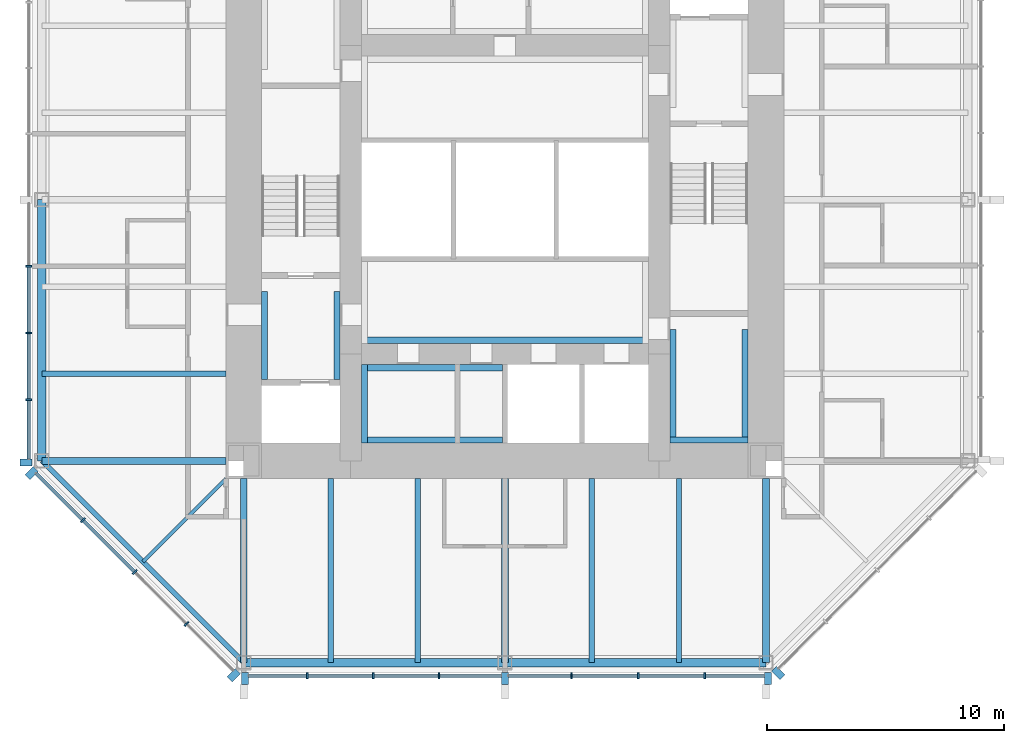
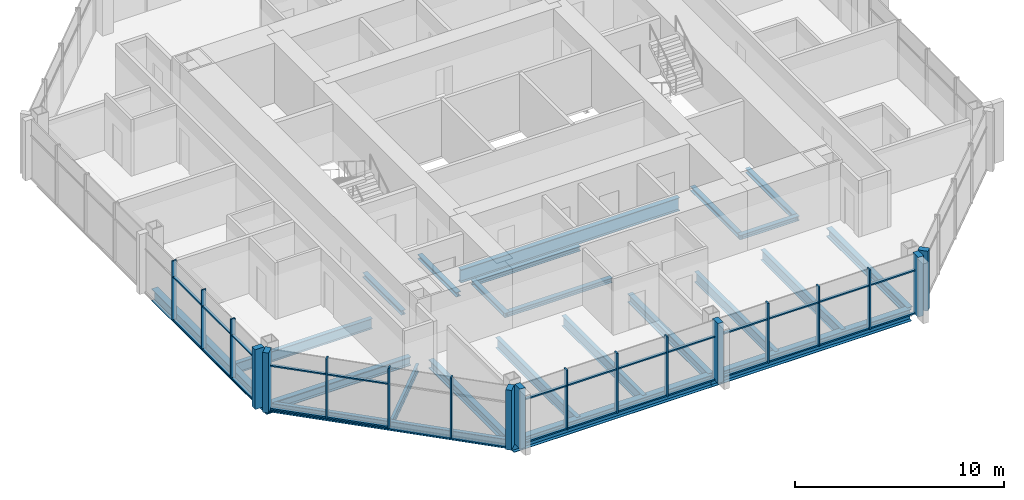
# One storey, part 2 of 11: 45 members, 23 beams, 4 elements without a shape of their own.
"""IFC4 building model written with IfcOpenShell, lengths in metres."""

import ifcopenshell
import ifcopenshell.guid

model = None  # the IFC model being written
_history = None  # IfcOwnerHistory: only IFC2X3 demands one
_inside = {}  # id of a spatial element -> (the spatial element, [elements in it])
_under = {}  # id of a project, library or spatial element -> (it, [spatial elements below it])
_declared = {}  # id of a project -> (the project, [libraries it declares])
_typed = {}  # id of a type object -> (the type object, [elements of that type])
_made_of = {}  # id of a material, layer set ... -> (it, [elements and type objects made of it])


def new_model(schema):
    """Start an empty IFC model of exactly this schema.

    Asked for "IFC4X3", IfcOpenShell would pick the latest addendum, in which some entities
    have other attributes; the version numbers below select the first issue.
    IFC2X3 requires an IfcOwnerHistory on every rooted entity: one is made here for all.
    """
    global model, _history
    if schema == "IFC4X3":
        model = ifcopenshell.file(schema_version=(4, 3, 0, 0))
    else:
        model = ifcopenshell.file(schema=schema)
    _inside.clear()
    _under.clear()
    _declared.clear()
    _typed.clear()
    _made_of.clear()
    _history = None
    if model.schema == "IFC2X3":
        org = make("IfcOrganization", Name="unknown")
        user = make(
            "IfcPersonAndOrganization",
            ThePerson=make("IfcPerson", FamilyName="unknown"),
            TheOrganization=org,
        )
        app = make(
            "IfcApplication",
            ApplicationDeveloper=org,
            Version="unknown",
            ApplicationFullName="unknown",
            ApplicationIdentifier="unknown",
        )
        _history = make(
            "IfcOwnerHistory",
            OwningUser=user,
            OwningApplication=app,
            ChangeAction="ADDED",
            CreationDate=0,
        )
    return model


def make(cls, **values):
    """One entity of the class cls with the attributes given. An attribute that is None is left unset."""
    return model.create_entity(
        cls, **{name: value for name, value in values.items() if value is not None}
    )


def rooted(cls, **values):
    """An entity with a GlobalId (a new one), such as an element, a storey or a relation."""
    return make(cls, GlobalId=ifcopenshell.guid.new(), OwnerHistory=_history, **values)


def si_unit(unit_type, name, prefix=None):
    """IfcSIUnit, for example si_unit("LENGTHUNIT", "METRE", prefix="MILLI")."""
    return make("IfcSIUnit", UnitType=unit_type, Prefix=prefix, Name=name)


def assignment(units):
    """IfcUnitAssignment: the units of a project."""
    return None if units is None else make("IfcUnitAssignment", Units=units)


def point(xyz):
    """IfcCartesianPoint."""
    return None if xyz is None else make("IfcCartesianPoint", Coordinates=xyz)


def direction(xyz):
    """IfcDirection."""
    return None if xyz is None else make("IfcDirection", DirectionRatios=xyz)


def frame(location, z_axis=None, x_axis=None):
    """IfcAxis2Placement3D, a coordinate frame: its origin and axes. An axis left out is left unset."""
    return make(
        "IfcAxis2Placement3D",
        Location=point(location),
        Axis=direction(z_axis),
        RefDirection=direction(x_axis),
    )


def frame_2d(location, x_axis=None):
    """IfcAxis2Placement2D, a coordinate frame in the plane: its origin and x axis."""
    return make(
        "IfcAxis2Placement2D", Location=point(location), RefDirection=direction(x_axis)
    )


def origin():
    """The frame at (0, 0, 0) with its axes left unset."""
    return frame((0.0, 0.0, 0.0))


def origin_2d():
    """The frame at (0, 0) in the plane with its x axis left unset."""
    return frame_2d((0.0, 0.0))


def place(relative_to, where):
    """IfcLocalPlacement: puts the frame where relative to a parent placement (None: the world)."""
    return make(
        "IfcLocalPlacement", PlacementRelTo=relative_to, RelativePlacement=where
    )


def context(
    kind, dimensions, precision=None, world=None, true_north=None, identifier=None
):
    """IfcGeometricRepresentationContext, for example the 3D "Model" context."""
    return make(
        "IfcGeometricRepresentationContext",
        ContextIdentifier=identifier,
        ContextType=kind,
        CoordinateSpaceDimension=dimensions,
        Precision=precision,
        WorldCoordinateSystem=world,
        TrueNorth=true_north,
    )


def subcontext(parent, identifier, kind, view, scale=None):
    """IfcGeometricRepresentationSubContext, for example "Body" below "Model"."""
    return make(
        "IfcGeometricRepresentationSubContext",
        ContextIdentifier=identifier,
        ContextType=kind,
        ParentContext=parent,
        TargetScale=scale,
        TargetView=view,
    )


def project(units=None, contexts=None):
    """IfcProject with its units and contexts."""
    return rooted(
        "IfcProject",
        Name="project",
        RepresentationContexts=contexts,
        UnitsInContext=assignment(units),
    )


def spatial(cls, under=None, at=None, **own):
    """A site, building, storey or space (cls), placed at a placement, below another one or the project."""
    s = rooted(cls, ObjectPlacement=at, **own)
    if under is not None:
        _under.setdefault(under.id(), (under, []))[1].append(s)
    return s


def profile(cls, at=None, kind="AREA", **sizes):
    """A parametric profile (cls). Its sizes go by their IFC names, for example OverallWidth=200.0."""
    return make(cls, ProfileType=kind, Position=at, **sizes)


def rectangle(**sizes):
    """IfcRectangleProfileDef."""
    return profile("IfcRectangleProfileDef", **sizes)


def i_section(**sizes):
    """IfcIShapeProfileDef."""
    return profile("IfcIShapeProfileDef", **sizes)


def extrude(swept, where, along, depth):
    """IfcExtrudedAreaSolid: the profile swept, set in the frame where, extruded along a direction by depth."""
    return make(
        "IfcExtrudedAreaSolid",
        SweptArea=swept,
        Position=where,
        ExtrudedDirection=direction(along),
        Depth=depth,
    )


def shape(context_of_items, identifier, shape_type, items):
    """IfcShapeRepresentation: the items that make up one representation, for example the "Body"."""
    return make(
        "IfcShapeRepresentation",
        ContextOfItems=context_of_items,
        RepresentationIdentifier=identifier,
        RepresentationType=shape_type,
        Items=items,
    )


def material(Name=None, Category=None):
    """IfcMaterial."""
    return make("IfcMaterial", Name=Name, Category=Category)


def material_profile(
    of_material, cross_section, Name=None, Category=None, Priority=None
):
    """IfcMaterialProfile: a cross section and its material."""
    return make(
        "IfcMaterialProfile",
        Name=Name,
        Material=of_material,
        Profile=cross_section,
        Priority=Priority,
        Category=Category,
    )


def profile_set(profiles, Name=None, composite=None):
    """IfcMaterialProfileSet."""
    return make(
        "IfcMaterialProfileSet",
        Name=Name,
        MaterialProfiles=profiles,
        CompositeProfile=composite,
    )


def made_of(thing, what):
    """Note that an element or type object is made of a material, layer set ...; save() writes the relation."""
    if what is not None:
        _made_of.setdefault(what.id(), (what, []))[1].append(thing)
    return thing


def type_object(cls, material=None, **own):
    """A type object (cls), such as IfcWallType, which elements share."""
    return made_of(rooted(cls, **own), material)


def element(
    cls,
    number,
    at=None,
    inside=None,
    cuts=None,
    type_object=None,
    material=None,
    context=None,
    identifier="Body",
    shape_type=None,
    held_by="IfcProductDefinitionShape",
    body=None,
    shapes=None,
    **own,
):
    """One element of the class cls, such as IfcWall. Its Tag is "e" and its number.

    at: its placement. inside: the storey or other place that contains it. cuts: it is an
    opening in that element (IfcRelVoidsElement). A single representation is given by context,
    identifier, shape_type and body (its items); several are given by shapes. held_by: the class
    of the entity that holds the representations. save() writes the other relations.
    """
    e = rooted(cls, Tag="e%d" % number, ObjectPlacement=at, **own)
    if body is not None:
        shapes = [shape(context, identifier, shape_type, body)]
    if shapes is not None:
        e.Representation = make(held_by, Representations=shapes)
    if inside is not None:
        _inside.setdefault(inside.id(), (inside, []))[1].append(e)
    if cuts is not None:
        rooted(
            "IfcRelVoidsElement", RelatingBuildingElement=cuts, RelatedOpeningElement=e
        )
    if type_object is not None:
        _typed.setdefault(type_object.id(), (type_object, []))[1].append(e)
    return made_of(e, material)


def aggregate(whole, parts):
    """IfcRelAggregates: a whole, such as a stair, and the parts it consists of."""
    return rooted("IfcRelAggregates", RelatingObject=whole, RelatedObjects=parts)


def save(model, path):
    """Write the relations noted so far, then the file.

    IfcRelAggregates (storeys below a building ...), IfcRelContainedInSpatialStructure (elements
    in a storey), IfcRelDefinesByType, IfcRelAssociatesMaterial and IfcRelDeclares: one each for
    every whole, place, type object, material and project.
    """
    for whole, parts in _under.values():
        aggregate(whole, parts)
    for where, things in _inside.values():
        rooted(
            "IfcRelContainedInSpatialStructure",
            RelatedElements=things,
            RelatingStructure=where,
        )
    for kind, things in _typed.values():
        rooted("IfcRelDefinesByType", RelatedObjects=things, RelatingType=kind)
    for what, things in _made_of.values():
        rooted("IfcRelAssociatesMaterial", RelatedObjects=things, RelatingMaterial=what)
    for by, libraries in _declared.values():
        rooted("IfcRelDeclares", RelatingContext=by, RelatedDefinitions=libraries)
    model.write(path)


model = new_model("IFC4")

# Units and contexts
model_context = context("Model", 3, precision=1e-05, world=origin(), true_north=direction((0.0, 1.0)))
body_context = subcontext(model_context, "Body", "Model", "MODEL_VIEW")
ifc_project = project(units=[si_unit("LENGTHUNIT", "METRE"), si_unit("AREAUNIT", "SQUARE_METRE"), si_unit("VOLUMEUNIT", "CUBIC_METRE"), si_unit("PLANEANGLEUNIT", "RADIAN"), si_unit("MASSUNIT", "GRAM", prefix="KILO")], contexts=[model_context])

# Site, building, storey
site_placement = place(None, origin())
site = spatial("IfcSite", under=ifc_project, at=site_placement, CompositionType="ELEMENT")
building_placement = place(site_placement, origin())
building = spatial("IfcBuilding", under=site, at=building_placement, Name="Trevanion Tower", CompositionType="ELEMENT")
storey_placement = place(building_placement, frame((0.0, 0.0, 236.199951171875)))
storey = spatial("IfcBuildingStorey", under=building, at=storey_placement, Name="L57", CompositionType="ELEMENT", Elevation=236.199951171875)

# Beams
ifc_material_1 = material(Name="Steel ASTM A992 Grade 50", Category="steel")
ifc_material_profile_1 = material_profile(ifc_material_1, i_section(OverallWidth=0.228271484375, OverallDepth=0.607177734375, WebThickness=0.01123046875, FlangeThickness=0.017333984375, at=origin_2d()), Name="W24X76")
ifc_profile_set_1 = profile_set([ifc_material_profile_1], Name="Steel ASTM A992 Grade 50")
beam_type_1 = type_object("IfcBeamType", Name="B11 W24X76", PredefinedType="BEAM", material=ifc_profile_set_1)
for number, where, z_axis, x_axis, name in (
    (1, (-11.75, -7.333251953125, -0.493408203125), (-1.0, 0.0, 0.0), (0.0, -1.0, 0.0), "B11 L57"),
    (2, (-7.333251953125, -11.75, -0.493408203125), (0.0, -1.0, 0.0), (1.0, 0.0, 0.0), "B11 L57"),
    (3, (-3.666748046875, -11.75, -0.493408203125), (0.0, -1.0, 0.0), (1.0, 0.0, 0.0), "B11 L57"),
    (4, (3.666748046875, -11.75, -0.493408203125), (0.0, -1.0, 0.0), (1.0, 0.0, 0.0), "B11 L57"),
    (5, (7.333251953125, -11.75, -0.493408203125), (0.0, -1.0, 0.0), (1.0, 0.0, 0.0), "B11 L57"),
):
    element("IfcBeam", number, at=place(storey_placement, frame(where, z_axis=z_axis, x_axis=x_axis)), inside=storey, type_object=beam_type_1, Name=name, PredefinedType="BEAM", context=body_context, shape_type="SweptSolid", body=[
        extrude(i_section(OverallWidth=0.228271484375, OverallDepth=0.607177734375, WebThickness=0.01123046875, FlangeThickness=0.017333984375, at=origin_2d()), origin(), (0.0, 0.0, 1.0), 7.75),
    ])
ifc_material_2 = material(Name="Steel ASTM A992 Grade 50", Category="steel")
ifc_material_profile_2 = material_profile(ifc_material_2, i_section(OverallWidth=0.15234375, OverallDepth=0.449462890625, WebThickness=0.007568359375, FlangeThickness=0.0107421875, at=origin_2d()), Name="W18X35")
ifc_profile_set_2 = profile_set([ifc_material_profile_2], Name="Steel ASTM A992 Grade 50")
beam_type_2 = type_object("IfcBeamType", Name="B12 W18X35", PredefinedType="BEAM", material=ifc_profile_set_2)
beam_1_placement = place(storey_placement, frame((-11.75, -11.75, -0.414794921875), z_axis=(-0.707106781187, -0.707106781187, 0.0), x_axis=(0.707106781187, -0.707106781187, 0.0)))
element("IfcBeam", 6, at=beam_1_placement, inside=storey, type_object=beam_type_2, Name="B12 L57", PredefinedType="BEAM", context=body_context, shape_type="SweptSolid", body=[
    extrude(i_section(OverallWidth=0.15234375, OverallDepth=0.449462890625, WebThickness=0.007568359375, FlangeThickness=0.0107421875, at=origin_2d()), origin(), (0.0, 0.0, 1.0), 4.94970703125),
])

# Curtain wall, members
ifc_material_3 = material(Name="Aluminium and glass", Category="aluminium")
curtain_wall_type = type_object("IfcCurtainWallType", Name="CW3 curtain wall", PredefinedType="USERDEFINED", material=ifc_material_3)
curtain_wall_1_placement = place(storey_placement, origin())
curtain_wall_1 = element("IfcCurtainWall", 7, at=curtain_wall_1_placement, inside=storey, type_object=curtain_wall_type, Name="CW3 L57 4", ObjectType="UNITISED CURTAIN WALL", PredefinedType="USERDEFINED")
ifc_material_4 = material(Name="Aluminium extrusion, anodised bronze", Category="aluminium")
ifc_material_profile_3 = material_profile(ifc_material_4, rectangle(XDim=0.074951171875, YDim=0.25, at=origin_2d()), Name="CW3 mullion")
ifc_profile_set_3 = profile_set([ifc_material_profile_3], Name="Aluminium extrusion, anodised bronze")
member_type_1 = type_object("IfcMemberType", Name="CW3 mullion", PredefinedType="MULLION", material=ifc_profile_set_3)
member_1_placement = place(storey_placement, frame((-20.050048828125, -2.806884765625, -0.18994140625), z_axis=(0.0, 0.0, 1.0), x_axis=(0.0, -1.0, 0.0)))
member_1 = element("IfcMember", 8, at=member_1_placement, type_object=member_type_1, Name="CW3 mullion 6", PredefinedType="MULLION", context=body_context, shape_type="SweptSolid", body=[
    extrude(rectangle(XDim=0.074951171875, YDim=0.25, at=origin_2d()), origin(), (0.0, 0.0, 1.0), 3.5),
])
member_2_placement = place(storey_placement, frame((-20.050048828125, -5.614013671875, -0.18994140625), z_axis=(0.0, 0.0, 1.0), x_axis=(0.0, -1.0, 0.0)))
member_2 = element("IfcMember", 9, at=member_2_placement, type_object=member_type_1, Name="CW3 mullion 7", PredefinedType="MULLION", context=body_context, shape_type="SweptSolid", body=[
    extrude(rectangle(XDim=0.074951171875, YDim=0.25, at=origin_2d()), origin(), (0.0, 0.0, 1.0), 3.5),
])
member_3_placement = place(storey_placement, frame((-20.050048828125, -8.4208984375, -0.18994140625), z_axis=(0.0, 0.0, 1.0), x_axis=(0.0, -1.0, 0.0)))
member_3 = element("IfcMember", 10, at=member_3_placement, type_object=member_type_1, Name="CW3 mullion 8", PredefinedType="MULLION", context=body_context, shape_type="SweptSolid", body=[
    extrude(rectangle(XDim=0.074951171875, YDim=0.25, at=origin_2d()), origin(), (0.0, 0.0, 1.0), 3.5),
])

curtain_wall_2_placement = place(storey_placement, origin())
curtain_wall_2 = element("IfcCurtainWall", 11, at=curtain_wall_2_placement, inside=storey, type_object=curtain_wall_type, Name="CW3 L57 5", ObjectType="UNITISED CURTAIN WALL", PredefinedType="USERDEFINED")
member_4_placement = place(storey_placement, frame((-17.775390625, -13.502197265625, -0.18994140625), z_axis=(0.0, 0.0, 1.0), x_axis=(0.707106781187, -0.707106781187, 0.0)))
member_4 = element("IfcMember", 12, at=member_4_placement, type_object=member_type_1, Name="CW3 mullion 2", PredefinedType="MULLION", context=body_context, shape_type="SweptSolid", body=[
    extrude(rectangle(XDim=0.074951171875, YDim=0.25, at=origin_2d()), origin(), (0.0, 0.0, 1.0), 3.5),
])
member_5_placement = place(storey_placement, frame((-15.593017578125, -15.684814453125, -0.18994140625), z_axis=(0.0, 0.0, 1.0), x_axis=(0.707106781187, -0.707106781187, 0.0)))
member_5 = element("IfcMember", 13, at=member_5_placement, type_object=member_type_1, Name="CW3 mullion 3", PredefinedType="MULLION", context=body_context, shape_type="SweptSolid", body=[
    extrude(rectangle(XDim=0.074951171875, YDim=0.25, at=origin_2d()), origin(), (0.0, 0.0, 1.0), 3.5),
])
member_6_placement = place(storey_placement, frame((-13.410400390625, -17.867431640625, -0.18994140625), z_axis=(0.0, 0.0, 1.0), x_axis=(0.707106781187, -0.707106781187, 0.0)))
member_6 = element("IfcMember", 14, at=member_6_placement, type_object=member_type_1, Name="CW3 mullion 4", PredefinedType="MULLION", context=body_context, shape_type="SweptSolid", body=[
    extrude(rectangle(XDim=0.074951171875, YDim=0.25, at=origin_2d()), origin(), (0.0, 0.0, 1.0), 3.5),
])

curtain_wall_3_placement = place(storey_placement, origin())
curtain_wall_3 = element("IfcCurtainWall", 15, at=curtain_wall_3_placement, inside=storey, type_object=curtain_wall_type, Name="CW3 L57 6", ObjectType="UNITISED CURTAIN WALL", PredefinedType="USERDEFINED")
member_7_placement = place(storey_placement, frame((-8.323486328125, -20.050048828125, -0.18994140625), z_axis=(0.0, 0.0, 1.0), x_axis=(1.0, 0.0, 0.0)))
member_7 = element("IfcMember", 16, at=member_7_placement, type_object=member_type_1, Name="CW3 mullion 2", PredefinedType="MULLION", context=body_context, shape_type="SweptSolid", body=[
    extrude(rectangle(XDim=0.074951171875, YDim=0.25, at=origin_2d()), origin(), (0.0, 0.0, 1.0), 3.5),
])
member_8_placement = place(storey_placement, frame((-5.548828125, -20.050048828125, -0.18994140625), z_axis=(0.0, 0.0, 1.0), x_axis=(1.0, 0.0, 0.0)))
member_8 = element("IfcMember", 17, at=member_8_placement, type_object=member_type_1, Name="CW3 mullion 3", PredefinedType="MULLION", context=body_context, shape_type="SweptSolid", body=[
    extrude(rectangle(XDim=0.074951171875, YDim=0.25, at=origin_2d()), origin(), (0.0, 0.0, 1.0), 3.5),
])
member_9_placement = place(storey_placement, frame((-2.7744140625, -20.050048828125, -0.18994140625), z_axis=(0.0, 0.0, 1.0), x_axis=(1.0, 0.0, 0.0)))
member_9 = element("IfcMember", 18, at=member_9_placement, type_object=member_type_1, Name="CW3 mullion 4", PredefinedType="MULLION", context=body_context, shape_type="SweptSolid", body=[
    extrude(rectangle(XDim=0.074951171875, YDim=0.25, at=origin_2d()), origin(), (0.0, 0.0, 1.0), 3.5),
])
member_10_placement = place(storey_placement, frame((2.806884765625, -20.050048828125, -0.18994140625), z_axis=(0.0, 0.0, 1.0), x_axis=(1.0, 0.0, 0.0)))
member_10 = element("IfcMember", 19, at=member_10_placement, type_object=member_type_1, Name="CW3 mullion 6", PredefinedType="MULLION", context=body_context, shape_type="SweptSolid", body=[
    extrude(rectangle(XDim=0.074951171875, YDim=0.25, at=origin_2d()), origin(), (0.0, 0.0, 1.0), 3.5),
])
member_11_placement = place(storey_placement, frame((5.614013671875, -20.050048828125, -0.18994140625), z_axis=(0.0, 0.0, 1.0), x_axis=(1.0, 0.0, 0.0)))
member_11 = element("IfcMember", 20, at=member_11_placement, type_object=member_type_1, Name="CW3 mullion 7", PredefinedType="MULLION", context=body_context, shape_type="SweptSolid", body=[
    extrude(rectangle(XDim=0.074951171875, YDim=0.25, at=origin_2d()), origin(), (0.0, 0.0, 1.0), 3.5),
])
member_12_placement = place(storey_placement, frame((8.4208984375, -20.050048828125, -0.18994140625), z_axis=(0.0, 0.0, 1.0), x_axis=(1.0, 0.0, 0.0)))
member_12 = element("IfcMember", 21, at=member_12_placement, type_object=member_type_1, Name="CW3 mullion 8", PredefinedType="MULLION", context=body_context, shape_type="SweptSolid", body=[
    extrude(rectangle(XDim=0.074951171875, YDim=0.25, at=origin_2d()), origin(), (0.0, 0.0, 1.0), 3.5),
])

# Member
ifc_material_5 = material(Name="Aluminium extrusion, anodised bronze", Category="aluminium")
ifc_material_profile_4 = material_profile(ifc_material_5, rectangle(XDim=0.300048828125, YDim=0.5, at=origin_2d()), Name="CW3 pier mullion")
ifc_profile_set_4 = profile_set([ifc_material_profile_4], Name="Aluminium extrusion, anodised bronze")
member_type_2 = type_object("IfcMemberType", Name="CW3 pier mullion", PredefinedType="MULLION", material=ifc_profile_set_4)
member_13_placement = place(storey_placement, frame((-20.175048828125, -11.077880859375, -0.18994140625), z_axis=(0.0, 0.0, 1.0), x_axis=(0.0, -1.0, 0.0)))
member_13 = element("IfcMember", 22, at=member_13_placement, type_object=member_type_2, Name="CW3 pier mullion 9", PredefinedType="MULLION", context=body_context, shape_type="SweptSolid", body=[
    extrude(rectangle(XDim=0.300048828125, YDim=0.5, at=origin_2d()), origin(), (0.0, 0.0, 1.0), 3.5),
])

member_14_placement = place(storey_placement, frame((-19.9404296875, -11.51416015625, -0.18994140625), z_axis=(0.0, 0.0, 1.0), x_axis=(0.707106781187, -0.707106781187, 0.0)))
member_14 = element("IfcMember", 23, at=member_14_placement, type_object=member_type_2, Name="CW3 pier mullion 1", PredefinedType="MULLION", context=body_context, shape_type="SweptSolid", body=[
    extrude(rectangle(XDim=0.300048828125, YDim=0.5, at=origin_2d()), origin(), (0.0, 0.0, 1.0), 3.5),
])

member_15_placement = place(storey_placement, frame((-11.42236328125, -20.0322265625, -0.18994140625), z_axis=(0.0, 0.0, 1.0), x_axis=(0.707106781187, -0.707106781187, 0.0)))
member_15 = element("IfcMember", 24, at=member_15_placement, type_object=member_type_2, Name="CW3 pier mullion 5", PredefinedType="MULLION", context=body_context, shape_type="SweptSolid", body=[
    extrude(rectangle(XDim=0.300048828125, YDim=0.5, at=origin_2d()), origin(), (0.0, 0.0, 1.0), 3.5),
])

member_16_placement = place(storey_placement, frame((-10.94775390625, -20.175048828125, -0.18994140625), z_axis=(0.0, 0.0, 1.0), x_axis=(1.0, 0.0, 0.0)))
member_16 = element("IfcMember", 25, at=member_16_placement, type_object=member_type_2, Name="CW3 pier mullion 1", PredefinedType="MULLION", context=body_context, shape_type="SweptSolid", body=[
    extrude(rectangle(XDim=0.300048828125, YDim=0.5, at=origin_2d()), origin(), (0.0, 0.0, 1.0), 3.5),
])

member_17_placement = place(storey_placement, frame((0.0, -20.175048828125, -0.18994140625), z_axis=(0.0, 0.0, 1.0), x_axis=(1.0, 0.0, 0.0)))
member_17 = element("IfcMember", 26, at=member_17_placement, type_object=member_type_2, Name="CW3 pier mullion 5", PredefinedType="MULLION", context=body_context, shape_type="SweptSolid", body=[
    extrude(rectangle(XDim=0.300048828125, YDim=0.5, at=origin_2d()), origin(), (0.0, 0.0, 1.0), 3.5),
])

member_18_placement = place(storey_placement, frame((11.077880859375, -20.175048828125, -0.18994140625), z_axis=(0.0, 0.0, 1.0), x_axis=(1.0, 0.0, 0.0)))
member_18 = element("IfcMember", 27, at=member_18_placement, type_object=member_type_2, Name="CW3 pier mullion 9", PredefinedType="MULLION", context=body_context, shape_type="SweptSolid", body=[
    extrude(rectangle(XDim=0.300048828125, YDim=0.5, at=origin_2d()), origin(), (0.0, 0.0, 1.0), 3.5),
])

# Curtain wall, member
curtain_wall_4_placement = place(storey_placement, origin())
curtain_wall_4 = element("IfcCurtainWall", 28, at=curtain_wall_4_placement, inside=storey, type_object=curtain_wall_type, Name="CW3 L57 7", ObjectType="UNITISED CURTAIN WALL", PredefinedType="USERDEFINED")
member_19_placement = place(storey_placement, frame((11.51416015625, -19.9404296875, -0.18994140625), z_axis=(0.0, 0.0, 1.0), x_axis=(0.707106781187, 0.707106781187, 0.0)))
member_19 = element("IfcMember", 29, at=member_19_placement, type_object=member_type_2, Name="CW3 pier mullion 1", PredefinedType="MULLION", context=body_context, shape_type="SweptSolid", body=[
    extrude(rectangle(XDim=0.300048828125, YDim=0.5, at=origin_2d()), origin(), (0.0, 0.0, 1.0), 3.5),
])
aggregate(curtain_wall_4, [member_19])

# Member
ifc_material_6 = material(Name="Aluminium extrusion, anodised bronze", Category="aluminium")
ifc_material_profile_5 = material_profile(ifc_material_6, rectangle(XDim=0.14990234375, YDim=0.074951171875, at=origin_2d()), Name="CW3 transom")
ifc_profile_set_5 = profile_set([ifc_material_profile_5], Name="Aluminium extrusion, anodised bronze")
member_type_3 = type_object("IfcMemberType", Name="CW3 transom", PredefinedType="USERDEFINED", material=ifc_profile_set_5)
member_20_placement = place(storey_placement, frame((-20.050048828125, -2.844482421875, -0.15234375), z_axis=(0.0, -1.0, 0.0), x_axis=(1.0, 0.0, 0.0)))
member_20 = element("IfcMember", 30, at=member_20_placement, type_object=member_type_3, Name="CW3 transom 6.1", ObjectType="TRANSOM", PredefinedType="USERDEFINED", context=body_context, shape_type="SweptSolid", body=[
    extrude(rectangle(XDim=0.14990234375, YDim=0.074951171875, at=origin_2d()), origin(), (0.0, 0.0, 1.0), 2.73193359375),
])

member_21_placement = place(storey_placement, frame((-20.050048828125, -2.844482421875, 2.360107421875), z_axis=(0.0, -1.0, 0.0), x_axis=(1.0, 0.0, 0.0)))
member_21 = element("IfcMember", 31, at=member_21_placement, type_object=member_type_3, Name="CW3 transom 6.2", ObjectType="TRANSOM", PredefinedType="USERDEFINED", context=body_context, shape_type="SweptSolid", body=[
    extrude(rectangle(XDim=0.14990234375, YDim=0.074951171875, at=origin_2d()), origin(), (0.0, 0.0, 1.0), 2.73193359375),
])

member_22_placement = place(storey_placement, frame((-20.050048828125, -5.6513671875, -0.15234375), z_axis=(0.0, -1.0, 0.0), x_axis=(1.0, 0.0, 0.0)))
member_22 = element("IfcMember", 32, at=member_22_placement, type_object=member_type_3, Name="CW3 transom 7.1", ObjectType="TRANSOM", PredefinedType="USERDEFINED", context=body_context, shape_type="SweptSolid", body=[
    extrude(rectangle(XDim=0.14990234375, YDim=0.074951171875, at=origin_2d()), origin(), (0.0, 0.0, 1.0), 2.73193359375),
])

member_23_placement = place(storey_placement, frame((-20.050048828125, -5.6513671875, 2.360107421875), z_axis=(0.0, -1.0, 0.0), x_axis=(1.0, 0.0, 0.0)))
member_23 = element("IfcMember", 33, at=member_23_placement, type_object=member_type_3, Name="CW3 transom 7.2", ObjectType="TRANSOM", PredefinedType="USERDEFINED", context=body_context, shape_type="SweptSolid", body=[
    extrude(rectangle(XDim=0.14990234375, YDim=0.074951171875, at=origin_2d()), origin(), (0.0, 0.0, 1.0), 2.73193359375),
])

member_24_placement = place(storey_placement, frame((-20.050048828125, -8.45849609375, -0.15234375), z_axis=(0.0, -1.0, 0.0), x_axis=(1.0, 0.0, 0.0)))
member_24 = element("IfcMember", 34, at=member_24_placement, type_object=member_type_3, Name="CW3 transom 8.1", ObjectType="TRANSOM", PredefinedType="USERDEFINED", context=body_context, shape_type="SweptSolid", body=[
    extrude(rectangle(XDim=0.14990234375, YDim=0.074951171875, at=origin_2d()), origin(), (0.0, 0.0, 1.0), 2.46923828125),
])

member_25_placement = place(storey_placement, frame((-20.050048828125, -8.45849609375, 2.360107421875), z_axis=(0.0, -1.0, 0.0), x_axis=(1.0, 0.0, 0.0)))
member_25 = element("IfcMember", 35, at=member_25_placement, type_object=member_type_3, Name="CW3 transom 8.2", ObjectType="TRANSOM", PredefinedType="USERDEFINED", context=body_context, shape_type="SweptSolid", body=[
    extrude(rectangle(XDim=0.14990234375, YDim=0.074951171875, at=origin_2d()), origin(), (0.0, 0.0, 1.0), 2.46923828125),
])

aggregate(curtain_wall_1, [member_1, member_2, member_3, member_13, member_20, member_21, member_22, member_23, member_24, member_25])

member_26_placement = place(storey_placement, frame((-19.745849609375, -11.531982421875, -0.15234375), z_axis=(0.707106781187, -0.707106781187, 0.0), x_axis=(0.707106781187, 0.707106781187, 0.0)))
member_26 = element("IfcMember", 36, at=member_26_placement, type_object=member_type_3, Name="CW3 transom 1.1", ObjectType="TRANSOM", PredefinedType="USERDEFINED", context=body_context, shape_type="SweptSolid", body=[
    extrude(rectangle(XDim=0.14990234375, YDim=0.074951171875, at=origin_2d()), origin(), (0.0, 0.0, 1.0), 2.7490234375),
])

member_27_placement = place(storey_placement, frame((-19.745849609375, -11.531982421875, 2.360107421875), z_axis=(0.707106781187, -0.707106781187, 0.0), x_axis=(0.707106781187, 0.707106781187, 0.0)))
member_27 = element("IfcMember", 37, at=member_27_placement, type_object=member_type_3, Name="CW3 transom 1.2", ObjectType="TRANSOM", PredefinedType="USERDEFINED", context=body_context, shape_type="SweptSolid", body=[
    extrude(rectangle(XDim=0.14990234375, YDim=0.074951171875, at=origin_2d()), origin(), (0.0, 0.0, 1.0), 2.7490234375),
])

member_28_placement = place(storey_placement, frame((-17.7490234375, -13.52880859375, -0.15234375), z_axis=(0.707106781187, -0.707106781187, 0.0), x_axis=(0.707106781187, 0.707106781187, 0.0)))
member_28 = element("IfcMember", 38, at=member_28_placement, type_object=member_type_3, Name="CW3 transom 2.1", ObjectType="TRANSOM", PredefinedType="USERDEFINED", context=body_context, shape_type="SweptSolid", body=[
    extrude(rectangle(XDim=0.14990234375, YDim=0.074951171875, at=origin_2d()), origin(), (0.0, 0.0, 1.0), 3.01171875),
])

member_29_placement = place(storey_placement, frame((-17.7490234375, -13.52880859375, 2.360107421875), z_axis=(0.707106781187, -0.707106781187, 0.0), x_axis=(0.707106781187, 0.707106781187, 0.0)))
member_29 = element("IfcMember", 39, at=member_29_placement, type_object=member_type_3, Name="CW3 transom 2.2", ObjectType="TRANSOM", PredefinedType="USERDEFINED", context=body_context, shape_type="SweptSolid", body=[
    extrude(rectangle(XDim=0.14990234375, YDim=0.074951171875, at=origin_2d()), origin(), (0.0, 0.0, 1.0), 3.01171875),
])

aggregate(curtain_wall_2, [member_14, member_4, member_5, member_6, member_15, member_26, member_27, member_28, member_29])

member_30_placement = place(storey_placement, frame((-10.7978515625, -20.050048828125, -0.15234375), z_axis=(1.0, 0.0, 0.0), x_axis=(0.0, 1.0, 0.0)))
member_30 = element("IfcMember", 40, at=member_30_placement, type_object=member_type_3, Name="CW3 transom 1.1", ObjectType="TRANSOM", PredefinedType="USERDEFINED", context=body_context, shape_type="SweptSolid", body=[
    extrude(rectangle(XDim=0.14990234375, YDim=0.074951171875, at=origin_2d()), origin(), (0.0, 0.0, 1.0), 2.43701171875),
])

member_31_placement = place(storey_placement, frame((-10.7978515625, -20.050048828125, 2.360107421875), z_axis=(1.0, 0.0, 0.0), x_axis=(0.0, 1.0, 0.0)))
member_31 = element("IfcMember", 41, at=member_31_placement, type_object=member_type_3, Name="CW3 transom 1.2", ObjectType="TRANSOM", PredefinedType="USERDEFINED", context=body_context, shape_type="SweptSolid", body=[
    extrude(rectangle(XDim=0.14990234375, YDim=0.074951171875, at=origin_2d()), origin(), (0.0, 0.0, 1.0), 2.43701171875),
])

member_32_placement = place(storey_placement, frame((-8.285888671875, -20.050048828125, -0.15234375), z_axis=(1.0, 0.0, 0.0), x_axis=(0.0, 1.0, 0.0)))
member_32 = element("IfcMember", 42, at=member_32_placement, type_object=member_type_3, Name="CW3 transom 2.1", ObjectType="TRANSOM", PredefinedType="USERDEFINED", context=body_context, shape_type="SweptSolid", body=[
    extrude(rectangle(XDim=0.14990234375, YDim=0.074951171875, at=origin_2d()), origin(), (0.0, 0.0, 1.0), 2.699462890625),
])

member_33_placement = place(storey_placement, frame((-8.285888671875, -20.050048828125, 2.360107421875), z_axis=(1.0, 0.0, 0.0), x_axis=(0.0, 1.0, 0.0)))
member_33 = element("IfcMember", 43, at=member_33_placement, type_object=member_type_3, Name="CW3 transom 2.2", ObjectType="TRANSOM", PredefinedType="USERDEFINED", context=body_context, shape_type="SweptSolid", body=[
    extrude(rectangle(XDim=0.14990234375, YDim=0.074951171875, at=origin_2d()), origin(), (0.0, 0.0, 1.0), 2.699462890625),
])

member_34_placement = place(storey_placement, frame((-5.511474609375, -20.050048828125, -0.15234375), z_axis=(1.0, 0.0, 0.0), x_axis=(0.0, 1.0, 0.0)))
member_34 = element("IfcMember", 44, at=member_34_placement, type_object=member_type_3, Name="CW3 transom 3.1", ObjectType="TRANSOM", PredefinedType="USERDEFINED", context=body_context, shape_type="SweptSolid", body=[
    extrude(rectangle(XDim=0.14990234375, YDim=0.074951171875, at=origin_2d()), origin(), (0.0, 0.0, 1.0), 2.699462890625),
])

member_35_placement = place(storey_placement, frame((-5.511474609375, -20.050048828125, 2.360107421875), z_axis=(1.0, 0.0, 0.0), x_axis=(0.0, 1.0, 0.0)))
member_35 = element("IfcMember", 45, at=member_35_placement, type_object=member_type_3, Name="CW3 transom 3.2", ObjectType="TRANSOM", PredefinedType="USERDEFINED", context=body_context, shape_type="SweptSolid", body=[
    extrude(rectangle(XDim=0.14990234375, YDim=0.074951171875, at=origin_2d()), origin(), (0.0, 0.0, 1.0), 2.699462890625),
])

member_36_placement = place(storey_placement, frame((-2.737060546875, -20.050048828125, -0.15234375), z_axis=(1.0, 0.0, 0.0), x_axis=(0.0, 1.0, 0.0)))
member_36 = element("IfcMember", 46, at=member_36_placement, type_object=member_type_3, Name="CW3 transom 4.1", ObjectType="TRANSOM", PredefinedType="USERDEFINED", context=body_context, shape_type="SweptSolid", body=[
    extrude(rectangle(XDim=0.14990234375, YDim=0.074951171875, at=origin_2d()), origin(), (0.0, 0.0, 1.0), 2.587158203125),
])

member_37_placement = place(storey_placement, frame((-2.737060546875, -20.050048828125, 2.360107421875), z_axis=(1.0, 0.0, 0.0), x_axis=(0.0, 1.0, 0.0)))
member_37 = element("IfcMember", 47, at=member_37_placement, type_object=member_type_3, Name="CW3 transom 4.2", ObjectType="TRANSOM", PredefinedType="USERDEFINED", context=body_context, shape_type="SweptSolid", body=[
    extrude(rectangle(XDim=0.14990234375, YDim=0.074951171875, at=origin_2d()), origin(), (0.0, 0.0, 1.0), 2.587158203125),
])

member_38_placement = place(storey_placement, frame((0.14990234375, -20.050048828125, -0.15234375), z_axis=(1.0, 0.0, 0.0), x_axis=(0.0, 1.0, 0.0)))
member_38 = element("IfcMember", 48, at=member_38_placement, type_object=member_type_3, Name="CW3 transom 5.1", ObjectType="TRANSOM", PredefinedType="USERDEFINED", context=body_context, shape_type="SweptSolid", body=[
    extrude(rectangle(XDim=0.14990234375, YDim=0.074951171875, at=origin_2d()), origin(), (0.0, 0.0, 1.0), 2.619384765625),
])

member_39_placement = place(storey_placement, frame((0.14990234375, -20.050048828125, 2.360107421875), z_axis=(1.0, 0.0, 0.0), x_axis=(0.0, 1.0, 0.0)))
member_39 = element("IfcMember", 49, at=member_39_placement, type_object=member_type_3, Name="CW3 transom 5.2", ObjectType="TRANSOM", PredefinedType="USERDEFINED", context=body_context, shape_type="SweptSolid", body=[
    extrude(rectangle(XDim=0.14990234375, YDim=0.074951171875, at=origin_2d()), origin(), (0.0, 0.0, 1.0), 2.619384765625),
])

member_40_placement = place(storey_placement, frame((2.844482421875, -20.050048828125, -0.15234375), z_axis=(1.0, 0.0, 0.0), x_axis=(0.0, 1.0, 0.0)))
member_40 = element("IfcMember", 50, at=member_40_placement, type_object=member_type_3, Name="CW3 transom 6.1", ObjectType="TRANSOM", PredefinedType="USERDEFINED", context=body_context, shape_type="SweptSolid", body=[
    extrude(rectangle(XDim=0.14990234375, YDim=0.074951171875, at=origin_2d()), origin(), (0.0, 0.0, 1.0), 2.73193359375),
])

member_41_placement = place(storey_placement, frame((2.844482421875, -20.050048828125, 2.360107421875), z_axis=(1.0, 0.0, 0.0), x_axis=(0.0, 1.0, 0.0)))
member_41 = element("IfcMember", 51, at=member_41_placement, type_object=member_type_3, Name="CW3 transom 6.2", ObjectType="TRANSOM", PredefinedType="USERDEFINED", context=body_context, shape_type="SweptSolid", body=[
    extrude(rectangle(XDim=0.14990234375, YDim=0.074951171875, at=origin_2d()), origin(), (0.0, 0.0, 1.0), 2.73193359375),
])

member_42_placement = place(storey_placement, frame((5.6513671875, -20.050048828125, -0.15234375), z_axis=(1.0, 0.0, 0.0), x_axis=(0.0, 1.0, 0.0)))
member_42 = element("IfcMember", 52, at=member_42_placement, type_object=member_type_3, Name="CW3 transom 7.1", ObjectType="TRANSOM", PredefinedType="USERDEFINED", context=body_context, shape_type="SweptSolid", body=[
    extrude(rectangle(XDim=0.14990234375, YDim=0.074951171875, at=origin_2d()), origin(), (0.0, 0.0, 1.0), 2.73193359375),
])

member_43_placement = place(storey_placement, frame((5.6513671875, -20.050048828125, 2.360107421875), z_axis=(1.0, 0.0, 0.0), x_axis=(0.0, 1.0, 0.0)))
member_43 = element("IfcMember", 53, at=member_43_placement, type_object=member_type_3, Name="CW3 transom 7.2", ObjectType="TRANSOM", PredefinedType="USERDEFINED", context=body_context, shape_type="SweptSolid", body=[
    extrude(rectangle(XDim=0.14990234375, YDim=0.074951171875, at=origin_2d()), origin(), (0.0, 0.0, 1.0), 2.73193359375),
])

member_44_placement = place(storey_placement, frame((8.45849609375, -20.050048828125, -0.15234375), z_axis=(1.0, 0.0, 0.0), x_axis=(0.0, 1.0, 0.0)))
member_44 = element("IfcMember", 54, at=member_44_placement, type_object=member_type_3, Name="CW3 transom 8.1", ObjectType="TRANSOM", PredefinedType="USERDEFINED", context=body_context, shape_type="SweptSolid", body=[
    extrude(rectangle(XDim=0.14990234375, YDim=0.074951171875, at=origin_2d()), origin(), (0.0, 0.0, 1.0), 2.46923828125),
])

member_45_placement = place(storey_placement, frame((8.45849609375, -20.050048828125, 2.360107421875), z_axis=(1.0, 0.0, 0.0), x_axis=(0.0, 1.0, 0.0)))
member_45 = element("IfcMember", 55, at=member_45_placement, type_object=member_type_3, Name="CW3 transom 8.2", ObjectType="TRANSOM", PredefinedType="USERDEFINED", context=body_context, shape_type="SweptSolid", body=[
    extrude(rectangle(XDim=0.14990234375, YDim=0.074951171875, at=origin_2d()), origin(), (0.0, 0.0, 1.0), 2.46923828125),
])

aggregate(curtain_wall_3, [member_16, member_7, member_8, member_9, member_17, member_10, member_11, member_12, member_18, member_30, member_31, member_32, member_33, member_34, member_35, member_36, member_37, member_38, member_39, member_40, member_41, member_42, member_43, member_44, member_45])

# Beams
ifc_material_7 = material(Name="Steel ASTM A992 Grade 50", Category="steel")
ifc_material_profile_6 = material_profile(ifc_material_7, i_section(OverallWidth=0.28955078125, OverallDepth=0.508056640625, WebThickness=0.022705078125, FlangeThickness=0.040283203125, at=origin_2d()), Name="W18X175")
ifc_profile_set_6 = profile_set([ifc_material_profile_6], Name="Steel ASTM A992 Grade 50")
beam_type_3 = type_object("IfcBeamType", Name="G6 W18X175", PredefinedType="BEAM", material=ifc_profile_set_6)
for number, where, z_axis, x_axis, name in (
    (56, (-11.75, -11.0, -0.44384765625), (-1.0, 0.0, 0.0), (0.0, -1.0, 0.0), "G6 L57"),
    (57, (-11.0, -11.75, -0.44384765625), (0.0, -1.0, 0.0), (1.0, 0.0, 0.0), "G6 L57"),
    (58, (0.0, -11.75, -0.44384765625), (0.0, -1.0, 0.0), (1.0, 0.0, 0.0), "G6 L57"),
    (59, (11.0, -11.75, -0.44384765625), (0.0, -1.0, 0.0), (1.0, 0.0, 0.0), "G6 L57"),
):
    element("IfcBeam", number, at=place(storey_placement, frame(where, z_axis=z_axis, x_axis=x_axis)), inside=storey, type_object=beam_type_3, Name=name, PredefinedType="BEAM", context=body_context, shape_type="SweptSolid", body=[
        extrude(i_section(OverallWidth=0.28955078125, OverallDepth=0.508056640625, WebThickness=0.022705078125, FlangeThickness=0.040283203125, at=origin_2d()), origin(), (0.0, 0.0, 1.0), 7.75),
    ])
ifc_material_8 = material(Name="Steel ASTM A992 Grade 50", Category="steel")
ifc_material_profile_7 = material_profile(ifc_material_8, i_section(OverallWidth=0.256591796875, OverallDepth=0.26416015625, WebThickness=0.011962890625, FlangeThickness=0.01953125, at=origin_2d()), Name="W10X68")
ifc_profile_set_7 = profile_set([ifc_material_profile_7], Name="Steel ASTM A992 Grade 50")
beam_type_4 = type_object("IfcBeamType", Name="LB1 W10X68", PredefinedType="BEAM", material=ifc_profile_set_7)
for number, where, z_axis, x_axis, name in (
    (60, (-10.12158203125, -7.574951171875, -0.33203125), (0.0, 1.0, 0.0), (-1.0, 0.0, 0.0), "LB1 L57"),
    (61, (-7.078369140625, -7.574951171875, -0.33203125), (0.0, 1.0, 0.0), (-1.0, 0.0, 0.0), "LB1 L57"),
):
    element("IfcBeam", number, at=place(storey_placement, frame(where, z_axis=z_axis, x_axis=x_axis)), inside=storey, type_object=beam_type_4, Name=name, PredefinedType="BEAM", context=body_context, shape_type="SweptSolid", body=[
        extrude(i_section(OverallWidth=0.256591796875, OverallDepth=0.26416015625, WebThickness=0.011962890625, FlangeThickness=0.01953125, at=origin_2d()), origin(), (0.0, 0.0, 1.0), 3.699951171875),
    ])
for number, where, z_axis, x_axis, name in (
    (62, (7.078369140625, -10.25, -0.33203125), (0.0, 1.0, 0.0), (-1.0, 0.0, 0.0), "LB1 L57"),
    (63, (10.12158203125, -10.25, -0.33203125), (0.0, 1.0, 0.0), (-1.0, 0.0, 0.0), "LB1 L57"),
):
    element("IfcBeam", number, at=place(storey_placement, frame(where, z_axis=z_axis, x_axis=x_axis)), inside=storey, type_object=beam_type_4, Name=name, PredefinedType="BEAM", context=body_context, shape_type="SweptSolid", body=[
        extrude(i_section(OverallWidth=0.256591796875, OverallDepth=0.26416015625, WebThickness=0.011962890625, FlangeThickness=0.01953125, at=origin_2d()), origin(), (0.0, 0.0, 1.0), 4.77490234375),
    ])
for number, where, z_axis, x_axis, name in (
    (64, (6.949951171875, -10.12158203125, -0.33203125), (1.0, 0.0, 0.0), (0.0, 1.0, 0.0), "LB1 L57"),
    (65, (-5.921630859375, -10.25, -0.33203125), (0.0, 1.0, 0.0), (-1.0, 0.0, 0.0), "LB1 L57"),
):
    element("IfcBeam", number, at=place(storey_placement, frame(where, z_axis=z_axis, x_axis=x_axis)), inside=storey, type_object=beam_type_4, Name=name, PredefinedType="BEAM", context=body_context, shape_type="SweptSolid", body=[
        extrude(i_section(OverallWidth=0.256591796875, OverallDepth=0.26416015625, WebThickness=0.011962890625, FlangeThickness=0.01953125, at=origin_2d()), origin(), (0.0, 0.0, 1.0), 3.300048828125),
    ])
for number, where, z_axis, x_axis, name in (
    (66, (-6.050048828125, -10.12158203125, -0.33203125), (1.0, 0.0, 0.0), (0.0, 1.0, 0.0), "LB1 L57"),
    (67, (-6.050048828125, -7.078369140625, -0.33203125), (1.0, 0.0, 0.0), (0.0, 1.0, 0.0), "LB1 L57"),
):
    element("IfcBeam", number, at=place(storey_placement, frame(where, z_axis=z_axis, x_axis=x_axis)), inside=storey, type_object=beam_type_4, Name=name, PredefinedType="BEAM", context=body_context, shape_type="SweptSolid", body=[
        extrude(i_section(OverallWidth=0.256591796875, OverallDepth=0.26416015625, WebThickness=0.011962890625, FlangeThickness=0.01953125, at=origin_2d()), origin(), (0.0, 0.0, 1.0), 5.949951171875),
    ])
ifc_material_9 = material(Name="Steel ASTM A992 Grade 50", Category="steel")
ifc_material_profile_8 = material_profile(ifc_material_9, i_section(OverallWidth=0.2666015625, OverallDepth=0.76953125, WebThickness=0.015625, FlangeThickness=0.025390625, at=origin_2d()), Name="W30X132")
ifc_profile_set_8 = profile_set([ifc_material_profile_8], Name="Steel ASTM A992 Grade 50")
beam_type_5 = type_object("IfcBeamType", Name="LB3 W30X132", PredefinedType="BEAM", material=ifc_profile_set_8)
beam_2_placement = place(storey_placement, frame((-6.050048828125, -5.91650390625, -0.584716796875), z_axis=(1.0, 0.0, 0.0), x_axis=(0.0, 1.0, 0.0)))
element("IfcBeam", 68, at=beam_2_placement, inside=storey, type_object=beam_type_5, Name="LB3 L57", PredefinedType="BEAM", context=body_context, shape_type="SweptSolid", body=[
    extrude(i_section(OverallWidth=0.2666015625, OverallDepth=0.76953125, WebThickness=0.015625, FlangeThickness=0.025390625, at=origin_2d()), origin(), (0.0, 0.0, 1.0), 12.10009765625),
])
ifc_material_10 = material(Name="Steel ASTM A992 Grade 50", Category="steel")
ifc_material_profile_9 = material_profile(ifc_material_10, i_section(OverallWidth=0.355712890625, OverallDepth=0.696044921875, WebThickness=0.015380859375, FlangeThickness=0.024658203125, at=origin_2d()), Name="W27X146")
ifc_profile_set_9 = profile_set([ifc_material_profile_9], Name="Steel ASTM A992 Grade 50")
beam_type_6 = type_object("IfcBeamType", Name="SB8 W27X146", PredefinedType="SPANDREL", material=ifc_profile_set_9)
for number, where, z_axis, x_axis, name in (
    (69, (-19.5, 0.0, -0.537841796875), (0.0, -1.0, 0.0), (1.0, 0.0, 0.0), "SB8 L57"),
    (70, (-11.0, -19.5, -0.537841796875), (1.0, 0.0, 0.0), (0.0, 1.0, 0.0), "SB8 L57"),
    (71, (0.0, -19.5, -0.537841796875), (1.0, 0.0, 0.0), (0.0, 1.0, 0.0), "SB8 L57"),
):
    element("IfcBeam", number, at=place(storey_placement, frame(where, z_axis=z_axis, x_axis=x_axis)), inside=storey, type_object=beam_type_6, Name=name, PredefinedType="SPANDREL", context=body_context, shape_type="SweptSolid", body=[
        extrude(i_section(OverallWidth=0.355712890625, OverallDepth=0.696044921875, WebThickness=0.015380859375, FlangeThickness=0.024658203125, at=origin_2d()), origin(), (0.0, 0.0, 1.0), 11.0),
    ])
ifc_material_11 = material(Name="Steel ASTM A992 Grade 50", Category="steel")
ifc_material_profile_10 = material_profile(ifc_material_11, i_section(OverallWidth=0.209228515625, OverallDepth=0.533447265625, WebThickness=0.01025390625, FlangeThickness=0.015625, at=origin_2d()), Name="W21X62")
ifc_profile_set_10 = profile_set([ifc_material_profile_10], Name="Steel ASTM A992 Grade 50")
beam_type_7 = type_object("IfcBeamType", Name="SB9 W21X62", PredefinedType="SPANDREL", material=ifc_profile_set_10)
beam_3_placement = place(storey_placement, frame((-19.5, -11.0, -0.45654296875), z_axis=(0.707106781187, -0.707106781187, 0.0), x_axis=(0.707106781187, 0.707106781187, 0.0)))
element("IfcBeam", 72, at=beam_3_placement, inside=storey, type_object=beam_type_7, Name="SB9 L57", PredefinedType="SPANDREL", context=body_context, shape_type="SweptSolid", body=[
    extrude(i_section(OverallWidth=0.209228515625, OverallDepth=0.533447265625, WebThickness=0.01025390625, FlangeThickness=0.015625, at=origin_2d()), origin(), (0.0, 0.0, 1.0), 12.020751953125),
])

save(model, "model.ifc")
